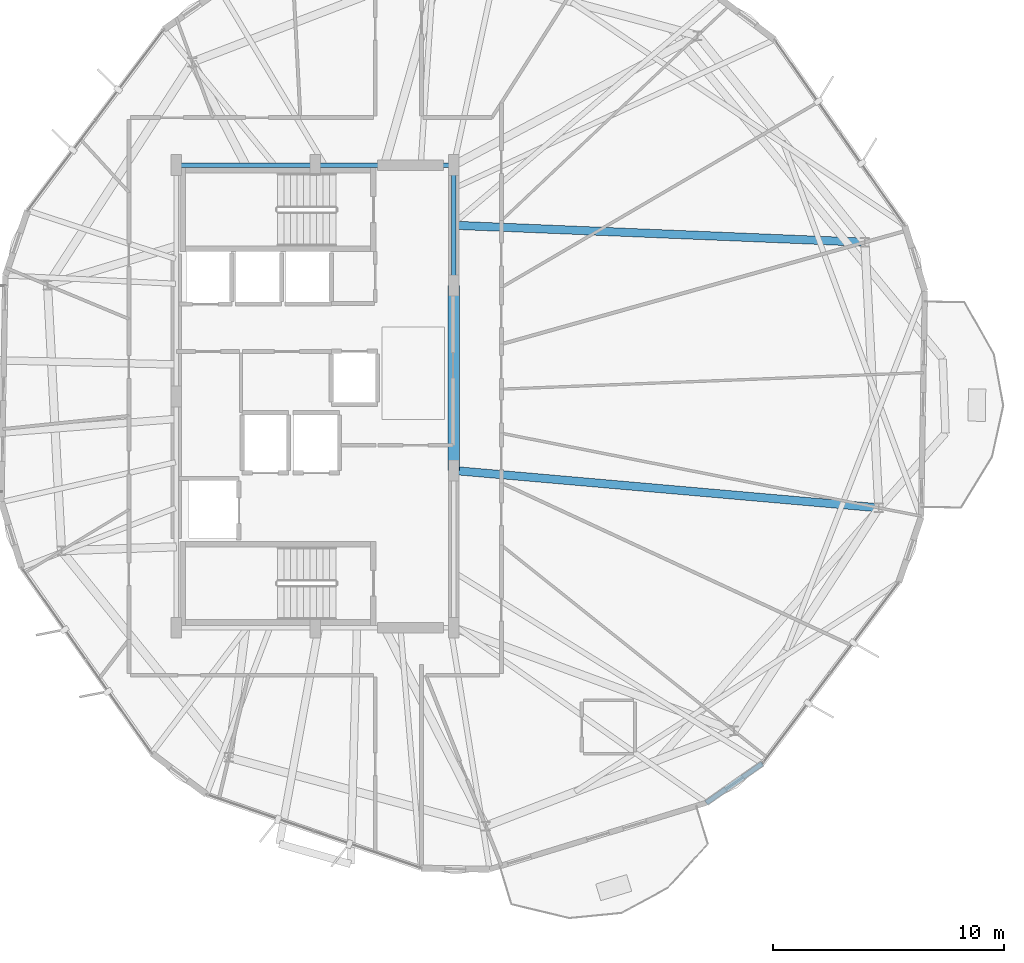
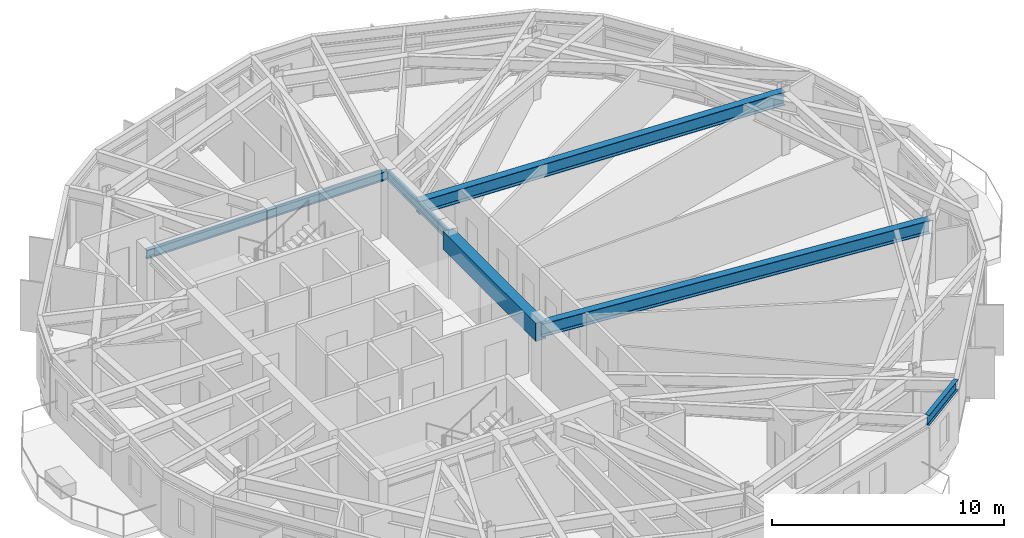
# One storey, part 7 of 29: 7 beams.
"""IFC4 building model written with IfcOpenShell, lengths in metres."""

from ifc_helpers import new_model, si_unit, direction, frame, origin, origin_2d, place, context, subcontext, project, spatial, rectangle, i_section, extrude, material, material_profile, profile_set, type_object, element, save


model = new_model("IFC4")

# Units and contexts
model_context = context("Model", 3, precision=1e-05, world=origin(), true_north=direction((0.0, 1.0)))
body_context = subcontext(model_context, "Body", "Model", "MODEL_VIEW")
ifc_project = project(units=[si_unit("LENGTHUNIT", "METRE"), si_unit("AREAUNIT", "SQUARE_METRE"), si_unit("VOLUMEUNIT", "CUBIC_METRE"), si_unit("PLANEANGLEUNIT", "RADIAN"), si_unit("MASSUNIT", "GRAM", prefix="KILO")], contexts=[model_context])

# Site, building, storey
site_placement = place(None, origin())
site = spatial("IfcSite", under=ifc_project, at=site_placement, CompositionType="ELEMENT")
building_placement = place(site_placement, origin())
building = spatial("IfcBuilding", under=site, at=building_placement, Name="Soratama Intermodal Tower", CompositionType="ELEMENT")
storey_placement = place(building_placement, frame((0.0, 0.0, 226.60009765625)))
storey = spatial("IfcBuildingStorey", under=building, at=storey_placement, Name="L57", CompositionType="ELEMENT", Elevation=226.60009765625)

# Beams
ifc_material_1 = material(Name="Concrete f'c 56 MPa", Category="concrete")
ifc_material_profile_1 = material_profile(ifc_material_1, rectangle(XDim=0.5, YDim=0.949951171875, at=origin_2d()), Name="RC500X950")
ifc_profile_set_1 = profile_set([ifc_material_profile_1], Name="Concrete f'c 56 MPa")
beam_type_1 = type_object("IfcBeamType", Name="BM-CPL-RC500X950", PredefinedType="BEAM", material=ifc_profile_set_1)
beam_1_placement = place(storey_placement, frame((44.60009765625, 21.800048828125, 2.824951171875), z_axis=(0.0, 1.0, 0.0), x_axis=(-1.0, 0.0, 0.0)))
element("IfcBeam", 1, at=beam_1_placement, inside=storey, type_object=beam_type_1, Name="L57 Core Coupling Beam East", PredefinedType="BEAM", context=body_context, shape_type="SweptSolid", body=[
    extrude(rectangle(XDim=0.5, YDim=0.949951171875, at=origin_2d()), origin(), (0.0, 0.0, 1.0), 8.0),
])
ifc_material_2 = material(Name="Structural steel ASTM A992 Grade 50", Category="steel")
ifc_material_profile_2 = material_profile(ifc_material_2, i_section(OverallWidth=0.19091796875, OverallDepth=0.4599609375, WebThickness=0.010009765625, FlangeThickness=0.01611328125, FilletRadius=0.010986328125, at=origin_2d()), Name="W18X55")
ifc_profile_set_2 = profile_set([ifc_material_profile_2], Name="Structural steel ASTM A992 Grade 50")
beam_type_2 = type_object("IfcBeamType", Name="BM-FLR-W18X55", PredefinedType="BEAM", material=ifc_profile_set_2)
beam_2_placement = place(storey_placement, frame((44.60009765625, 29.800048828125, 3.06982421875), z_axis=(0.0, 1.0, 0.0), x_axis=(-1.0, 0.0, 0.0)))
element("IfcBeam", 2, at=beam_2_placement, inside=storey, type_object=beam_type_2, Name="BM-L57-CRING-05", PredefinedType="BEAM", context=body_context, shape_type="SweptSolid", body=[
    extrude(i_section(OverallWidth=0.19091796875, OverallDepth=0.4599609375, WebThickness=0.010009765625, FlangeThickness=0.01611328125, FilletRadius=0.010986328125, at=origin_2d()), origin(), (0.0, 0.0, 1.0), 5.199951171875),
])
for number, where, z_axis, x_axis, name in (
    (3, (44.60009765625, 35.0, 3.06982421875), (-1.0, 0.0, 0.0), (0.0, -1.0, 0.0), "BM-L57-CRING-06"),
    (4, (38.60009765625, 35.0, 3.06982421875), (-1.0, 0.0, 0.0), (0.0, -1.0, 0.0), "BM-L57-CRING-07"),
):
    element("IfcBeam", number, at=place(storey_placement, frame(where, z_axis=z_axis, x_axis=x_axis)), inside=storey, type_object=beam_type_2, Name=name, PredefinedType="BEAM", context=body_context, shape_type="SweptSolid", body=[
        extrude(i_section(OverallWidth=0.19091796875, OverallDepth=0.4599609375, WebThickness=0.010009765625, FlangeThickness=0.01611328125, FilletRadius=0.010986328125, at=origin_2d()), origin(), (0.0, 0.0, 1.0), 6.0),
    ])
ifc_material_3 = material(Name="Structural steel ASTM A992 Grade 50", Category="steel")
ifc_material_profile_3 = material_profile(ifc_material_3, i_section(OverallWidth=0.35498046875, OverallDepth=0.695068359375, WebThickness=0.015380859375, FlangeThickness=0.02490234375, FilletRadius=0.01611328125, at=origin_2d()), Name="W27X146")
ifc_profile_set_3 = profile_set([ifc_material_profile_3], Name="Structural steel ASTM A992 Grade 50")
beam_type_3 = type_object("IfcBeamType", Name="BM-RING-W27X146", PredefinedType="BEAM", material=ifc_profile_set_3)
beam_3_placement = place(storey_placement, frame((44.60009765625, 32.39990234375, 2.952392578125), z_axis=(0.999147788389, -0.041275864109, 0.0), x_axis=(0.041275864109, 0.999147788389, 0.0)))
element("IfcBeam", 5, at=beam_3_placement, inside=storey, type_object=beam_type_3, Name="BM-L57-RAD-01", PredefinedType="BEAM", context=body_context, shape_type="SweptSolid", body=[
    extrude(i_section(OverallWidth=0.35498046875, OverallDepth=0.695068359375, WebThickness=0.015380859375, FlangeThickness=0.02490234375, FilletRadius=0.01611328125, at=origin_2d()), origin(), (0.0, 0.0, 1.0), 17.780029296875),
])
beam_4_placement = place(storey_placement, frame((44.60009765625, 21.800048828125, 2.952392578125), z_axis=(0.996160716813, -0.087543282317, 0.0), x_axis=(0.087543282317, 0.996160716813, 0.0)))
element("IfcBeam", 6, at=beam_4_placement, inside=storey, type_object=beam_type_3, Name="BM-L57-RAD-10", PredefinedType="BEAM", context=body_context, shape_type="SweptSolid", body=[
    extrude(i_section(OverallWidth=0.35498046875, OverallDepth=0.695068359375, WebThickness=0.015380859375, FlangeThickness=0.02490234375, FilletRadius=0.01611328125, at=origin_2d()), origin(), (0.0, 0.0, 1.0), 18.436767578125),
])
ifc_material_4 = material(Name="Structural steel ASTM A992 Grade 50", Category="steel")
ifc_material_profile_4 = material_profile(ifc_material_4, i_section(OverallWidth=0.2099609375, OverallDepth=0.537109375, WebThickness=0.010986328125, FlangeThickness=0.017333984375, FilletRadius=0.012939453125, at=origin_2d()), Name="W21X68")
ifc_profile_set_4 = profile_set([ifc_material_profile_4], Name="Structural steel ASTM A992 Grade 50")
beam_type_4 = type_object("IfcBeamType", Name="BM-SPN-W21X68", PredefinedType="SPANDREL", material=ifc_profile_set_4)
beam_5_placement = place(storey_placement, frame((55.508056640625, 7.430908203125, 3.031494140625), z_axis=(0.818779304738, 0.574108395804, 0.0), x_axis=(-0.574108395804, 0.818779304738, 0.0)))
element("IfcBeam", 7, at=beam_5_placement, inside=storey, type_object=beam_type_4, Name="BS-L57-CRN07", PredefinedType="SPANDREL", context=body_context, shape_type="SweptSolid", body=[
    extrude(i_section(OverallWidth=0.2099609375, OverallDepth=0.537109375, WebThickness=0.010986328125, FlangeThickness=0.017333984375, FilletRadius=0.012939453125, at=origin_2d()), origin(), (0.0, 0.0, 1.0), 2.966552734375),
])

save(model, "model.ifc")
